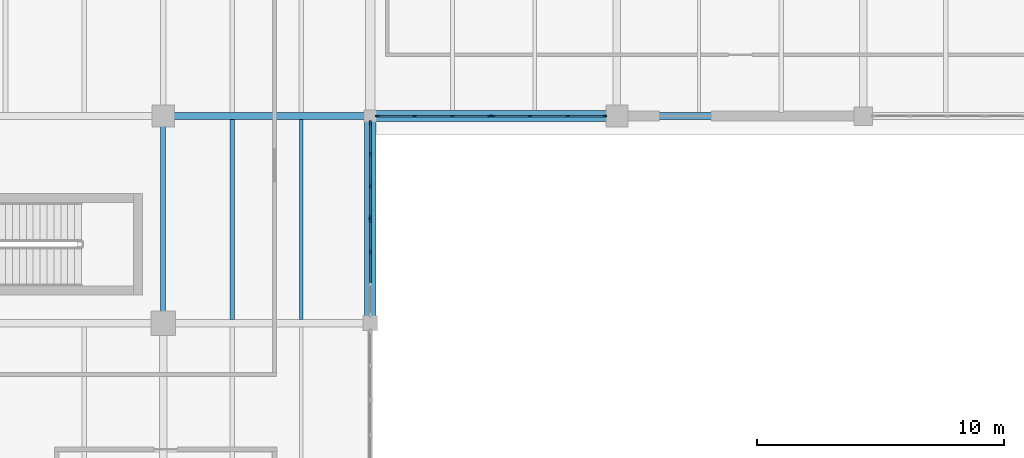
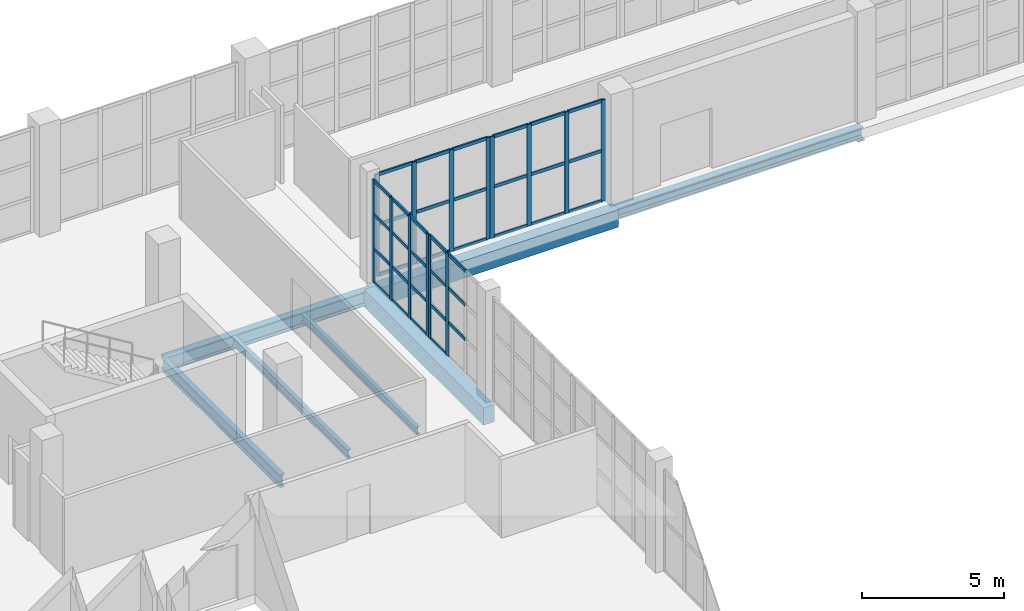
# One storey, part 10 of 121: 51 members, 7 beams, 4 elements without a shape of their own.
"""IFC4 building model written with IfcOpenShell, lengths in metres."""

from ifc_helpers import new_model, si_unit, direction, frame, origin, origin_2d, place, context, subcontext, project, spatial, rectangle, i_section, extrude, material, layer, layer_set, material_profile, profile_set, type_object, element, aggregate, save


model = new_model("IFC4")

# Units and contexts
model_context = context("Model", 3, precision=1e-05, world=origin(), true_north=direction((0.0, 1.0)))
body_context = subcontext(model_context, "Body", "Model", "MODEL_VIEW")
ifc_project = project(units=[si_unit("LENGTHUNIT", "METRE"), si_unit("AREAUNIT", "SQUARE_METRE"), si_unit("VOLUMEUNIT", "CUBIC_METRE"), si_unit("PLANEANGLEUNIT", "RADIAN"), si_unit("MASSUNIT", "GRAM", prefix="KILO")], contexts=[model_context])

# Site, building, storey
site_placement = place(None, origin())
site = spatial("IfcSite", under=ifc_project, at=site_placement, CompositionType="ELEMENT")
building_placement = place(site_placement, origin())
building = spatial("IfcBuilding", under=site, at=building_placement, Name="Zereglee Splitstone Museum", CompositionType="ELEMENT")
storey_placement = place(building_placement, origin())
storey = spatial("IfcBuildingStorey", under=building, at=storey_placement, Name="L00", CompositionType="ELEMENT", Elevation=0.0)

# Curtain wall, members
ifc_material_1 = material(Name="Triple-glazed low-E argon glass and bronze-anodised aluminium", Category="aluminium")
ifc_layer_1 = layer(ifc_material_1, 0.179931640625)
ifc_layer_set_1 = layer_set([ifc_layer_1], Name="Triple-glazed low-E argon glass and bronze-anodised aluminium")
curtain_wall_type_1 = type_object("IfcCurtainWallType", Name="CW-0388-444", PredefinedType="USERDEFINED", material=ifc_layer_set_1)
curtain_wall_1_placement = place(storey_placement, origin())
curtain_wall_1 = element("IfcCurtainWall", 1, at=curtain_wall_1_placement, inside=storey, type_object=curtain_wall_type_1, Name="Glazed Curtain Wall CW-0388-444 (L00)", ObjectType="GLAZED CURTAIN WALL", PredefinedType="USERDEFINED")
ifc_material_2 = material(Name="Thermally broken bronze-anodised aluminium", Category="aluminium")
ifc_material_profile_1 = material_profile(ifc_material_2, rectangle(XDim=0.06494140625, YDim=0.179931640625, at=origin_2d()), Name="CW MULL 65x180")
ifc_profile_set_1 = profile_set([ifc_material_profile_1], Name="Thermally broken bronze-anodised aluminium")
member_type_1 = type_object("IfcMemberType", Name="CWM-01", PredefinedType="MULLION", material=ifc_profile_set_1)
member_1_placement = place(storey_placement, frame((48.0, 24.49267578125, 0.0), z_axis=(0.0, 0.0, 1.0), x_axis=(-1.0, 0.0, 0.0)))
member_1 = element("IfcMember", 2, at=member_1_placement, type_object=member_type_1, Name="CW-0388-444 mullion 3", PredefinedType="MULLION", context=body_context, shape_type="SweptSolid", body=[
    extrude(rectangle(XDim=0.06494140625, YDim=0.179931640625, at=origin_2d()), origin(), (0.0, 0.0, 1.0), 4.43994140625),
])
member_2_placement = place(storey_placement, frame((48.0, 25.75244140625, 0.0), z_axis=(0.0, 0.0, 1.0), x_axis=(-1.0, 0.0, 0.0)))
member_2 = element("IfcMember", 3, at=member_2_placement, type_object=member_type_1, Name="CW-0388-444 mullion 4", PredefinedType="MULLION", context=body_context, shape_type="SweptSolid", body=[
    extrude(rectangle(XDim=0.06494140625, YDim=0.179931640625, at=origin_2d()), origin(), (0.0, 0.0, 1.0), 4.43994140625),
])

ifc_layer_2 = layer(ifc_material_1, 0.179931640625)
ifc_layer_set_2 = layer_set([ifc_layer_2], Name="Triple-glazed low-E argon glass and bronze-anodised aluminium")
curtain_wall_type_2 = type_object("IfcCurtainWallType", Name="CW-0388-442", PredefinedType="USERDEFINED", material=ifc_layer_set_2)
curtain_wall_2_placement = place(storey_placement, origin())
curtain_wall_2 = element("IfcCurtainWall", 4, at=curtain_wall_2_placement, inside=storey, type_object=curtain_wall_type_2, Name="Glazed Curtain Wall CW-0388-442 (L00)", ObjectType="GLAZED CURTAIN WALL", PredefinedType="USERDEFINED")
member_3_placement = place(storey_placement, frame((48.0, 25.8974609375, 0.0), z_axis=(0.0, 0.0, 1.0), x_axis=(-1.0, 0.0, 0.0)))
member_3 = element("IfcMember", 5, at=member_3_placement, type_object=member_type_1, Name="CW-0388-442 mullion 1", PredefinedType="MULLION", context=body_context, shape_type="SweptSolid", body=[
    extrude(rectangle(XDim=0.06494140625, YDim=0.179931640625, at=origin_2d()), origin(), (0.0, 0.0, 1.0), 4.419921875),
])
member_4_placement = place(storey_placement, frame((48.0, 27.1572265625, 0.0), z_axis=(0.0, 0.0, 1.0), x_axis=(-1.0, 0.0, 0.0)))
member_4 = element("IfcMember", 6, at=member_4_placement, type_object=member_type_1, Name="CW-0388-442 mullion 2", PredefinedType="MULLION", context=body_context, shape_type="SweptSolid", body=[
    extrude(rectangle(XDim=0.06494140625, YDim=0.179931640625, at=origin_2d()), origin(), (0.0, 0.0, 1.0), 4.419921875),
])
member_5_placement = place(storey_placement, frame((48.0, 28.44970703125, 0.0), z_axis=(0.0, 0.0, 1.0), x_axis=(-1.0, 0.0, 0.0)))
member_5 = element("IfcMember", 7, at=member_5_placement, type_object=member_type_1, Name="CW-0388-442 mullion 3", PredefinedType="MULLION", context=body_context, shape_type="SweptSolid", body=[
    extrude(rectangle(XDim=0.06494140625, YDim=0.179931640625, at=origin_2d()), origin(), (0.0, 0.0, 1.0), 4.419921875),
])
member_6_placement = place(storey_placement, frame((48.0, 29.70947265625, 0.0), z_axis=(0.0, 0.0, 1.0), x_axis=(-1.0, 0.0, 0.0)))
member_6 = element("IfcMember", 8, at=member_6_placement, type_object=member_type_1, Name="CW-0388-442 mullion 4", PredefinedType="MULLION", context=body_context, shape_type="SweptSolid", body=[
    extrude(rectangle(XDim=0.06494140625, YDim=0.179931640625, at=origin_2d()), origin(), (0.0, 0.0, 1.0), 4.419921875),
])

ifc_layer_3 = layer(ifc_material_1, 0.179931640625)
ifc_layer_set_3 = layer_set([ifc_layer_3], Name="Triple-glazed low-E argon glass and bronze-anodised aluminium")
curtain_wall_type_3 = type_object("IfcCurtainWallType", Name="CW-0460-438", PredefinedType="USERDEFINED", material=ifc_layer_set_3)
curtain_wall_3_placement = place(storey_placement, origin())
curtain_wall_3 = element("IfcCurtainWall", 9, at=curtain_wall_3_placement, inside=storey, type_object=curtain_wall_type_3, Name="Glazed Curtain Wall CW-0460-438 (L00)", ObjectType="GLAZED CURTAIN WALL", PredefinedType="USERDEFINED")
member_7_placement = place(storey_placement, frame((48.29052734375, 30.0, 0.0), z_axis=(0.0, 0.0, 1.0), x_axis=(0.0, 1.0, 0.0)))
member_7 = element("IfcMember", 10, at=member_7_placement, type_object=member_type_1, Name="CW-0460-438 mullion 1", PredefinedType="MULLION", context=body_context, shape_type="SweptSolid", body=[
    extrude(rectangle(XDim=0.06494140625, YDim=0.179931640625, at=origin_2d()), origin(), (0.0, 0.0, 1.0), 4.3798828125),
])
member_8_placement = place(storey_placement, frame((49.7919921875, 30.0, 0.0), z_axis=(0.0, 0.0, 1.0), x_axis=(0.0, 1.0, 0.0)))
member_8 = element("IfcMember", 11, at=member_8_placement, type_object=member_type_1, Name="CW-0460-438 mullion 2", PredefinedType="MULLION", context=body_context, shape_type="SweptSolid", body=[
    extrude(rectangle(XDim=0.06494140625, YDim=0.179931640625, at=origin_2d()), origin(), (0.0, 0.0, 1.0), 4.3798828125),
])
member_9_placement = place(storey_placement, frame((51.325927734375, 30.0, 0.0), z_axis=(0.0, 0.0, 1.0), x_axis=(0.0, 1.0, 0.0)))
member_9 = element("IfcMember", 12, at=member_9_placement, type_object=member_type_1, Name="CW-0460-438 mullion 3", PredefinedType="MULLION", context=body_context, shape_type="SweptSolid", body=[
    extrude(rectangle(XDim=0.06494140625, YDim=0.179931640625, at=origin_2d()), origin(), (0.0, 0.0, 1.0), 4.3798828125),
])
member_10_placement = place(storey_placement, frame((52.827392578125, 30.0, 0.0), z_axis=(0.0, 0.0, 1.0), x_axis=(0.0, 1.0, 0.0)))
member_10 = element("IfcMember", 13, at=member_10_placement, type_object=member_type_1, Name="CW-0460-438 mullion 4", PredefinedType="MULLION", context=body_context, shape_type="SweptSolid", body=[
    extrude(rectangle(XDim=0.06494140625, YDim=0.179931640625, at=origin_2d()), origin(), (0.0, 0.0, 1.0), 4.3798828125),
])

ifc_layer_4 = layer(ifc_material_1, 0.179931640625)
ifc_layer_set_4 = layer_set([ifc_layer_4], Name="Triple-glazed low-E argon glass and bronze-anodised aluminium")
curtain_wall_type_4 = type_object("IfcCurtainWallType", Name="CW-0460-436", PredefinedType="USERDEFINED", material=ifc_layer_set_4)
curtain_wall_4_placement = place(storey_placement, origin())
curtain_wall_4 = element("IfcCurtainWall", 14, at=curtain_wall_4_placement, inside=storey, type_object=curtain_wall_type_4, Name="Glazed Curtain Wall CW-0460-436 (L00)", ObjectType="GLAZED CURTAIN WALL", PredefinedType="USERDEFINED")
member_11_placement = place(storey_placement, frame((52.972412109375, 30.0, 0.0), z_axis=(0.0, 0.0, 1.0), x_axis=(0.0, 1.0, 0.0)))
member_11 = element("IfcMember", 15, at=member_11_placement, type_object=member_type_1, Name="CW-0460-436 mullion 1", PredefinedType="MULLION", context=body_context, shape_type="SweptSolid", body=[
    extrude(rectangle(XDim=0.06494140625, YDim=0.179931640625, at=origin_2d()), origin(), (0.0, 0.0, 1.0), 4.360107421875),
])
member_12_placement = place(storey_placement, frame((54.47412109375, 30.0, 0.0), z_axis=(0.0, 0.0, 1.0), x_axis=(0.0, 1.0, 0.0)))
member_12 = element("IfcMember", 16, at=member_12_placement, type_object=member_type_1, Name="CW-0460-436 mullion 2", PredefinedType="MULLION", context=body_context, shape_type="SweptSolid", body=[
    extrude(rectangle(XDim=0.06494140625, YDim=0.179931640625, at=origin_2d()), origin(), (0.0, 0.0, 1.0), 4.360107421875),
])
member_13_placement = place(storey_placement, frame((56.008056640625, 30.0, 0.0), z_axis=(0.0, 0.0, 1.0), x_axis=(0.0, 1.0, 0.0)))
member_13 = element("IfcMember", 17, at=member_13_placement, type_object=member_type_1, Name="CW-0460-436 mullion 3", PredefinedType="MULLION", context=body_context, shape_type="SweptSolid", body=[
    extrude(rectangle(XDim=0.06494140625, YDim=0.179931640625, at=origin_2d()), origin(), (0.0, 0.0, 1.0), 4.360107421875),
])
member_14_placement = place(storey_placement, frame((57.509521484375, 30.0, 0.0), z_axis=(0.0, 0.0, 1.0), x_axis=(0.0, 1.0, 0.0)))
member_14 = element("IfcMember", 18, at=member_14_placement, type_object=member_type_1, Name="CW-0460-436 mullion 4", PredefinedType="MULLION", context=body_context, shape_type="SweptSolid", body=[
    extrude(rectangle(XDim=0.06494140625, YDim=0.179931640625, at=origin_2d()), origin(), (0.0, 0.0, 1.0), 4.360107421875),
])

# Member
ifc_material_profile_2 = material_profile(ifc_material_2, rectangle(XDim=0.06494140625, YDim=0.139892578125, at=origin_2d()), Name="CW TRAN 65x140")
ifc_profile_set_2 = profile_set([ifc_material_profile_2], Name="Thermally broken bronze-anodised aluminium")
member_type_2 = type_object("IfcMemberType", Name="CWT-01", PredefinedType="USERDEFINED", material=ifc_profile_set_2)
member_15_placement = place(storey_placement, frame((48.0, 23.23291015625, 1.47998046875), z_axis=(0.0, 1.0, 0.0), x_axis=(-1.0, 0.0, 0.0)))
member_15 = element("IfcMember", 19, at=member_15_placement, type_object=member_type_2, Name="CW-0388-444 transom 2.2", ObjectType="TRANSOM", PredefinedType="USERDEFINED", context=body_context, shape_type="SweptSolid", body=[
    extrude(rectangle(XDim=0.06494140625, YDim=0.139892578125, at=origin_2d()), origin(), (0.0, 0.0, 1.0), 1.227294921875),
])

member_16_placement = place(storey_placement, frame((48.0, 23.23291015625, 2.9599609375), z_axis=(0.0, 1.0, 0.0), x_axis=(-1.0, 0.0, 0.0)))
member_16 = element("IfcMember", 20, at=member_16_placement, type_object=member_type_2, Name="CW-0388-444 transom 2.3", ObjectType="TRANSOM", PredefinedType="USERDEFINED", context=body_context, shape_type="SweptSolid", body=[
    extrude(rectangle(XDim=0.06494140625, YDim=0.139892578125, at=origin_2d()), origin(), (0.0, 0.0, 1.0), 1.227294921875),
])

member_17_placement = place(storey_placement, frame((48.0, 23.23291015625, 4.407470703125), z_axis=(0.0, 1.0, 0.0), x_axis=(-1.0, 0.0, 0.0)))
member_17 = element("IfcMember", 21, at=member_17_placement, type_object=member_type_2, Name="CW-0388-444 transom 2.4", ObjectType="TRANSOM", PredefinedType="USERDEFINED", context=body_context, shape_type="SweptSolid", body=[
    extrude(rectangle(XDim=0.06494140625, YDim=0.139892578125, at=origin_2d()), origin(), (0.0, 0.0, 1.0), 1.227294921875),
])

member_18_placement = place(storey_placement, frame((48.0, 24.525146484375, 0.032470703125), z_axis=(0.0, 1.0, 0.0), x_axis=(-1.0, 0.0, 0.0)))
member_18 = element("IfcMember", 22, at=member_18_placement, type_object=member_type_2, Name="CW-0388-444 transom 3.1", ObjectType="TRANSOM", PredefinedType="USERDEFINED", context=body_context, shape_type="SweptSolid", body=[
    extrude(rectangle(XDim=0.06494140625, YDim=0.139892578125, at=origin_2d()), origin(), (0.0, 0.0, 1.0), 1.19482421875),
])

member_19_placement = place(storey_placement, frame((48.0, 24.525146484375, 1.47998046875), z_axis=(0.0, 1.0, 0.0), x_axis=(-1.0, 0.0, 0.0)))
member_19 = element("IfcMember", 23, at=member_19_placement, type_object=member_type_2, Name="CW-0388-444 transom 3.2", ObjectType="TRANSOM", PredefinedType="USERDEFINED", context=body_context, shape_type="SweptSolid", body=[
    extrude(rectangle(XDim=0.06494140625, YDim=0.139892578125, at=origin_2d()), origin(), (0.0, 0.0, 1.0), 1.19482421875),
])

member_20_placement = place(storey_placement, frame((48.0, 24.525146484375, 2.9599609375), z_axis=(0.0, 1.0, 0.0), x_axis=(-1.0, 0.0, 0.0)))
member_20 = element("IfcMember", 24, at=member_20_placement, type_object=member_type_2, Name="CW-0388-444 transom 3.3", ObjectType="TRANSOM", PredefinedType="USERDEFINED", context=body_context, shape_type="SweptSolid", body=[
    extrude(rectangle(XDim=0.06494140625, YDim=0.139892578125, at=origin_2d()), origin(), (0.0, 0.0, 1.0), 1.19482421875),
])

member_21_placement = place(storey_placement, frame((48.0, 24.525146484375, 4.407470703125), z_axis=(0.0, 1.0, 0.0), x_axis=(-1.0, 0.0, 0.0)))
member_21 = element("IfcMember", 25, at=member_21_placement, type_object=member_type_2, Name="CW-0388-444 transom 3.4", ObjectType="TRANSOM", PredefinedType="USERDEFINED", context=body_context, shape_type="SweptSolid", body=[
    extrude(rectangle(XDim=0.06494140625, YDim=0.139892578125, at=origin_2d()), origin(), (0.0, 0.0, 1.0), 1.19482421875),
])

aggregate(curtain_wall_1, [member_1, member_2, member_15, member_16, member_17, member_18, member_19, member_20, member_21])

member_22_placement = place(storey_placement, frame((48.0, 25.929931640625, 0.032470703125), z_axis=(0.0, 1.0, 0.0), x_axis=(-1.0, 0.0, 0.0)))
member_22 = element("IfcMember", 26, at=member_22_placement, type_object=member_type_2, Name="CW-0388-442 transom 1.1", ObjectType="TRANSOM", PredefinedType="USERDEFINED", context=body_context, shape_type="SweptSolid", body=[
    extrude(rectangle(XDim=0.06494140625, YDim=0.139892578125, at=origin_2d()), origin(), (0.0, 0.0, 1.0), 1.19482421875),
])

member_23_placement = place(storey_placement, frame((48.0, 25.929931640625, 1.473388671875), z_axis=(0.0, 1.0, 0.0), x_axis=(-1.0, 0.0, 0.0)))
member_23 = element("IfcMember", 27, at=member_23_placement, type_object=member_type_2, Name="CW-0388-442 transom 1.2", ObjectType="TRANSOM", PredefinedType="USERDEFINED", context=body_context, shape_type="SweptSolid", body=[
    extrude(rectangle(XDim=0.06494140625, YDim=0.139892578125, at=origin_2d()), origin(), (0.0, 0.0, 1.0), 1.19482421875),
])

member_24_placement = place(storey_placement, frame((48.0, 25.929931640625, 2.94677734375), z_axis=(0.0, 1.0, 0.0), x_axis=(-1.0, 0.0, 0.0)))
member_24 = element("IfcMember", 28, at=member_24_placement, type_object=member_type_2, Name="CW-0388-442 transom 1.3", ObjectType="TRANSOM", PredefinedType="USERDEFINED", context=body_context, shape_type="SweptSolid", body=[
    extrude(rectangle(XDim=0.06494140625, YDim=0.139892578125, at=origin_2d()), origin(), (0.0, 0.0, 1.0), 1.19482421875),
])

member_25_placement = place(storey_placement, frame((48.0, 25.929931640625, 4.387451171875), z_axis=(0.0, 1.0, 0.0), x_axis=(-1.0, 0.0, 0.0)))
member_25 = element("IfcMember", 29, at=member_25_placement, type_object=member_type_2, Name="CW-0388-442 transom 1.4", ObjectType="TRANSOM", PredefinedType="USERDEFINED", context=body_context, shape_type="SweptSolid", body=[
    extrude(rectangle(XDim=0.06494140625, YDim=0.139892578125, at=origin_2d()), origin(), (0.0, 0.0, 1.0), 1.19482421875),
])

member_26_placement = place(storey_placement, frame((48.0, 27.18994140625, 0.032470703125), z_axis=(0.0, 1.0, 0.0), x_axis=(-1.0, 0.0, 0.0)))
member_26 = element("IfcMember", 30, at=member_26_placement, type_object=member_type_2, Name="CW-0388-442 transom 2.1", ObjectType="TRANSOM", PredefinedType="USERDEFINED", context=body_context, shape_type="SweptSolid", body=[
    extrude(rectangle(XDim=0.06494140625, YDim=0.139892578125, at=origin_2d()), origin(), (0.0, 0.0, 1.0), 1.227294921875),
])

member_27_placement = place(storey_placement, frame((48.0, 27.18994140625, 1.473388671875), z_axis=(0.0, 1.0, 0.0), x_axis=(-1.0, 0.0, 0.0)))
member_27 = element("IfcMember", 31, at=member_27_placement, type_object=member_type_2, Name="CW-0388-442 transom 2.2", ObjectType="TRANSOM", PredefinedType="USERDEFINED", context=body_context, shape_type="SweptSolid", body=[
    extrude(rectangle(XDim=0.06494140625, YDim=0.139892578125, at=origin_2d()), origin(), (0.0, 0.0, 1.0), 1.227294921875),
])

member_28_placement = place(storey_placement, frame((48.0, 27.18994140625, 2.94677734375), z_axis=(0.0, 1.0, 0.0), x_axis=(-1.0, 0.0, 0.0)))
member_28 = element("IfcMember", 32, at=member_28_placement, type_object=member_type_2, Name="CW-0388-442 transom 2.3", ObjectType="TRANSOM", PredefinedType="USERDEFINED", context=body_context, shape_type="SweptSolid", body=[
    extrude(rectangle(XDim=0.06494140625, YDim=0.139892578125, at=origin_2d()), origin(), (0.0, 0.0, 1.0), 1.227294921875),
])

member_29_placement = place(storey_placement, frame((48.0, 27.18994140625, 4.387451171875), z_axis=(0.0, 1.0, 0.0), x_axis=(-1.0, 0.0, 0.0)))
member_29 = element("IfcMember", 33, at=member_29_placement, type_object=member_type_2, Name="CW-0388-442 transom 2.4", ObjectType="TRANSOM", PredefinedType="USERDEFINED", context=body_context, shape_type="SweptSolid", body=[
    extrude(rectangle(XDim=0.06494140625, YDim=0.139892578125, at=origin_2d()), origin(), (0.0, 0.0, 1.0), 1.227294921875),
])

member_30_placement = place(storey_placement, frame((48.0, 28.482177734375, 0.032470703125), z_axis=(0.0, 1.0, 0.0), x_axis=(-1.0, 0.0, 0.0)))
member_30 = element("IfcMember", 34, at=member_30_placement, type_object=member_type_2, Name="CW-0388-442 transom 3.1", ObjectType="TRANSOM", PredefinedType="USERDEFINED", context=body_context, shape_type="SweptSolid", body=[
    extrude(rectangle(XDim=0.06494140625, YDim=0.139892578125, at=origin_2d()), origin(), (0.0, 0.0, 1.0), 1.19482421875),
])

member_31_placement = place(storey_placement, frame((48.0, 28.482177734375, 1.473388671875), z_axis=(0.0, 1.0, 0.0), x_axis=(-1.0, 0.0, 0.0)))
member_31 = element("IfcMember", 35, at=member_31_placement, type_object=member_type_2, Name="CW-0388-442 transom 3.2", ObjectType="TRANSOM", PredefinedType="USERDEFINED", context=body_context, shape_type="SweptSolid", body=[
    extrude(rectangle(XDim=0.06494140625, YDim=0.139892578125, at=origin_2d()), origin(), (0.0, 0.0, 1.0), 1.19482421875),
])

member_32_placement = place(storey_placement, frame((48.0, 28.482177734375, 2.94677734375), z_axis=(0.0, 1.0, 0.0), x_axis=(-1.0, 0.0, 0.0)))
member_32 = element("IfcMember", 36, at=member_32_placement, type_object=member_type_2, Name="CW-0388-442 transom 3.3", ObjectType="TRANSOM", PredefinedType="USERDEFINED", context=body_context, shape_type="SweptSolid", body=[
    extrude(rectangle(XDim=0.06494140625, YDim=0.139892578125, at=origin_2d()), origin(), (0.0, 0.0, 1.0), 1.19482421875),
])

member_33_placement = place(storey_placement, frame((48.0, 28.482177734375, 4.387451171875), z_axis=(0.0, 1.0, 0.0), x_axis=(-1.0, 0.0, 0.0)))
member_33 = element("IfcMember", 37, at=member_33_placement, type_object=member_type_2, Name="CW-0388-442 transom 3.4", ObjectType="TRANSOM", PredefinedType="USERDEFINED", context=body_context, shape_type="SweptSolid", body=[
    extrude(rectangle(XDim=0.06494140625, YDim=0.139892578125, at=origin_2d()), origin(), (0.0, 0.0, 1.0), 1.19482421875),
])

aggregate(curtain_wall_2, [member_3, member_4, member_5, member_6, member_22, member_23, member_24, member_25, member_26, member_27, member_28, member_29, member_30, member_31, member_32, member_33])

member_34_placement = place(storey_placement, frame((48.322998046875, 30.0, 0.032470703125), z_axis=(1.0, 0.0, 0.0), x_axis=(0.0, 1.0, 0.0)))
member_34 = element("IfcMember", 38, at=member_34_placement, type_object=member_type_2, Name="CW-0460-438 transom 1.1", ObjectType="TRANSOM", PredefinedType="USERDEFINED", context=body_context, shape_type="SweptSolid", body=[
    extrude(rectangle(XDim=0.06494140625, YDim=0.139892578125, at=origin_2d()), origin(), (0.0, 0.0, 1.0), 1.4365234375),
])

member_35_placement = place(storey_placement, frame((48.322998046875, 30.0, 2.18994140625), z_axis=(1.0, 0.0, 0.0), x_axis=(0.0, 1.0, 0.0)))
member_35 = element("IfcMember", 39, at=member_35_placement, type_object=member_type_2, Name="CW-0460-438 transom 1.2", ObjectType="TRANSOM", PredefinedType="USERDEFINED", context=body_context, shape_type="SweptSolid", body=[
    extrude(rectangle(XDim=0.06494140625, YDim=0.139892578125, at=origin_2d()), origin(), (0.0, 0.0, 1.0), 1.4365234375),
])

member_36_placement = place(storey_placement, frame((48.322998046875, 30.0, 4.347412109375), z_axis=(1.0, 0.0, 0.0), x_axis=(0.0, 1.0, 0.0)))
member_36 = element("IfcMember", 40, at=member_36_placement, type_object=member_type_2, Name="CW-0460-438 transom 1.3", ObjectType="TRANSOM", PredefinedType="USERDEFINED", context=body_context, shape_type="SweptSolid", body=[
    extrude(rectangle(XDim=0.06494140625, YDim=0.139892578125, at=origin_2d()), origin(), (0.0, 0.0, 1.0), 1.4365234375),
])

member_37_placement = place(storey_placement, frame((49.824462890625, 30.0, 0.032470703125), z_axis=(1.0, 0.0, 0.0), x_axis=(0.0, 1.0, 0.0)))
member_37 = element("IfcMember", 41, at=member_37_placement, type_object=member_type_2, Name="CW-0460-438 transom 2.1", ObjectType="TRANSOM", PredefinedType="USERDEFINED", context=body_context, shape_type="SweptSolid", body=[
    extrude(rectangle(XDim=0.06494140625, YDim=0.139892578125, at=origin_2d()), origin(), (0.0, 0.0, 1.0), 1.468994140625),
])

member_38_placement = place(storey_placement, frame((49.824462890625, 30.0, 2.18994140625), z_axis=(1.0, 0.0, 0.0), x_axis=(0.0, 1.0, 0.0)))
member_38 = element("IfcMember", 42, at=member_38_placement, type_object=member_type_2, Name="CW-0460-438 transom 2.2", ObjectType="TRANSOM", PredefinedType="USERDEFINED", context=body_context, shape_type="SweptSolid", body=[
    extrude(rectangle(XDim=0.06494140625, YDim=0.139892578125, at=origin_2d()), origin(), (0.0, 0.0, 1.0), 1.468994140625),
])

member_39_placement = place(storey_placement, frame((49.824462890625, 30.0, 4.347412109375), z_axis=(1.0, 0.0, 0.0), x_axis=(0.0, 1.0, 0.0)))
member_39 = element("IfcMember", 43, at=member_39_placement, type_object=member_type_2, Name="CW-0460-438 transom 2.3", ObjectType="TRANSOM", PredefinedType="USERDEFINED", context=body_context, shape_type="SweptSolid", body=[
    extrude(rectangle(XDim=0.06494140625, YDim=0.139892578125, at=origin_2d()), origin(), (0.0, 0.0, 1.0), 1.468994140625),
])

member_40_placement = place(storey_placement, frame((51.3583984375, 30.0, 0.032470703125), z_axis=(1.0, 0.0, 0.0), x_axis=(0.0, 1.0, 0.0)))
member_40 = element("IfcMember", 44, at=member_40_placement, type_object=member_type_2, Name="CW-0460-438 transom 3.1", ObjectType="TRANSOM", PredefinedType="USERDEFINED", context=body_context, shape_type="SweptSolid", body=[
    extrude(rectangle(XDim=0.06494140625, YDim=0.139892578125, at=origin_2d()), origin(), (0.0, 0.0, 1.0), 1.4365234375),
])

member_41_placement = place(storey_placement, frame((51.3583984375, 30.0, 2.18994140625), z_axis=(1.0, 0.0, 0.0), x_axis=(0.0, 1.0, 0.0)))
member_41 = element("IfcMember", 45, at=member_41_placement, type_object=member_type_2, Name="CW-0460-438 transom 3.2", ObjectType="TRANSOM", PredefinedType="USERDEFINED", context=body_context, shape_type="SweptSolid", body=[
    extrude(rectangle(XDim=0.06494140625, YDim=0.139892578125, at=origin_2d()), origin(), (0.0, 0.0, 1.0), 1.4365234375),
])

member_42_placement = place(storey_placement, frame((51.3583984375, 30.0, 4.347412109375), z_axis=(1.0, 0.0, 0.0), x_axis=(0.0, 1.0, 0.0)))
member_42 = element("IfcMember", 46, at=member_42_placement, type_object=member_type_2, Name="CW-0460-438 transom 3.3", ObjectType="TRANSOM", PredefinedType="USERDEFINED", context=body_context, shape_type="SweptSolid", body=[
    extrude(rectangle(XDim=0.06494140625, YDim=0.139892578125, at=origin_2d()), origin(), (0.0, 0.0, 1.0), 1.4365234375),
])

aggregate(curtain_wall_3, [member_7, member_8, member_9, member_10, member_34, member_35, member_36, member_37, member_38, member_39, member_40, member_41, member_42])

member_43_placement = place(storey_placement, frame((53.0048828125, 30.0, 0.032470703125), z_axis=(1.0, 0.0, 0.0), x_axis=(0.0, 1.0, 0.0)))
member_43 = element("IfcMember", 47, at=member_43_placement, type_object=member_type_2, Name="CW-0460-436 transom 1.1", ObjectType="TRANSOM", PredefinedType="USERDEFINED", context=body_context, shape_type="SweptSolid", body=[
    extrude(rectangle(XDim=0.06494140625, YDim=0.139892578125, at=origin_2d()), origin(), (0.0, 0.0, 1.0), 1.4365234375),
])

member_44_placement = place(storey_placement, frame((53.0048828125, 30.0, 2.179931640625), z_axis=(1.0, 0.0, 0.0), x_axis=(0.0, 1.0, 0.0)))
member_44 = element("IfcMember", 48, at=member_44_placement, type_object=member_type_2, Name="CW-0460-436 transom 1.2", ObjectType="TRANSOM", PredefinedType="USERDEFINED", context=body_context, shape_type="SweptSolid", body=[
    extrude(rectangle(XDim=0.06494140625, YDim=0.139892578125, at=origin_2d()), origin(), (0.0, 0.0, 1.0), 1.4365234375),
])

member_45_placement = place(storey_placement, frame((53.0048828125, 30.0, 4.327392578125), z_axis=(1.0, 0.0, 0.0), x_axis=(0.0, 1.0, 0.0)))
member_45 = element("IfcMember", 49, at=member_45_placement, type_object=member_type_2, Name="CW-0460-436 transom 1.3", ObjectType="TRANSOM", PredefinedType="USERDEFINED", context=body_context, shape_type="SweptSolid", body=[
    extrude(rectangle(XDim=0.06494140625, YDim=0.139892578125, at=origin_2d()), origin(), (0.0, 0.0, 1.0), 1.4365234375),
])

member_46_placement = place(storey_placement, frame((54.506591796875, 30.0, 0.032470703125), z_axis=(1.0, 0.0, 0.0), x_axis=(0.0, 1.0, 0.0)))
member_46 = element("IfcMember", 50, at=member_46_placement, type_object=member_type_2, Name="CW-0460-436 transom 2.1", ObjectType="TRANSOM", PredefinedType="USERDEFINED", context=body_context, shape_type="SweptSolid", body=[
    extrude(rectangle(XDim=0.06494140625, YDim=0.139892578125, at=origin_2d()), origin(), (0.0, 0.0, 1.0), 1.468994140625),
])

member_47_placement = place(storey_placement, frame((54.506591796875, 30.0, 2.179931640625), z_axis=(1.0, 0.0, 0.0), x_axis=(0.0, 1.0, 0.0)))
member_47 = element("IfcMember", 51, at=member_47_placement, type_object=member_type_2, Name="CW-0460-436 transom 2.2", ObjectType="TRANSOM", PredefinedType="USERDEFINED", context=body_context, shape_type="SweptSolid", body=[
    extrude(rectangle(XDim=0.06494140625, YDim=0.139892578125, at=origin_2d()), origin(), (0.0, 0.0, 1.0), 1.468994140625),
])

member_48_placement = place(storey_placement, frame((54.506591796875, 30.0, 4.327392578125), z_axis=(1.0, 0.0, 0.0), x_axis=(0.0, 1.0, 0.0)))
member_48 = element("IfcMember", 52, at=member_48_placement, type_object=member_type_2, Name="CW-0460-436 transom 2.3", ObjectType="TRANSOM", PredefinedType="USERDEFINED", context=body_context, shape_type="SweptSolid", body=[
    extrude(rectangle(XDim=0.06494140625, YDim=0.139892578125, at=origin_2d()), origin(), (0.0, 0.0, 1.0), 1.468994140625),
])

member_49_placement = place(storey_placement, frame((56.04052734375, 30.0, 0.032470703125), z_axis=(1.0, 0.0, 0.0), x_axis=(0.0, 1.0, 0.0)))
member_49 = element("IfcMember", 53, at=member_49_placement, type_object=member_type_2, Name="CW-0460-436 transom 3.1", ObjectType="TRANSOM", PredefinedType="USERDEFINED", context=body_context, shape_type="SweptSolid", body=[
    extrude(rectangle(XDim=0.06494140625, YDim=0.139892578125, at=origin_2d()), origin(), (0.0, 0.0, 1.0), 1.4365234375),
])

member_50_placement = place(storey_placement, frame((56.04052734375, 30.0, 2.179931640625), z_axis=(1.0, 0.0, 0.0), x_axis=(0.0, 1.0, 0.0)))
member_50 = element("IfcMember", 54, at=member_50_placement, type_object=member_type_2, Name="CW-0460-436 transom 3.2", ObjectType="TRANSOM", PredefinedType="USERDEFINED", context=body_context, shape_type="SweptSolid", body=[
    extrude(rectangle(XDim=0.06494140625, YDim=0.139892578125, at=origin_2d()), origin(), (0.0, 0.0, 1.0), 1.4365234375),
])

member_51_placement = place(storey_placement, frame((56.04052734375, 30.0, 4.327392578125), z_axis=(1.0, 0.0, 0.0), x_axis=(0.0, 1.0, 0.0)))
member_51 = element("IfcMember", 55, at=member_51_placement, type_object=member_type_2, Name="CW-0460-436 transom 3.3", ObjectType="TRANSOM", PredefinedType="USERDEFINED", context=body_context, shape_type="SweptSolid", body=[
    extrude(rectangle(XDim=0.06494140625, YDim=0.139892578125, at=origin_2d()), origin(), (0.0, 0.0, 1.0), 1.4365234375),
])

aggregate(curtain_wall_4, [member_11, member_12, member_13, member_14, member_43, member_44, member_45, member_46, member_47, member_48, member_49, member_50, member_51])

# Beams
ifc_material_3 = material(Name="Steel S355J2", Category="steel")
ifc_material_profile_3 = material_profile(ifc_material_3, i_section(OverallWidth=0.300048828125, OverallDepth=0.60009765625, WebThickness=0.015380859375, FlangeThickness=0.030029296875, FilletRadius=0.027099609375, at=origin_2d()), Name="HE 600 B")
ifc_profile_set_3 = profile_set([ifc_material_profile_3], Name="Steel S355J2")
beam_type_1 = type_object("IfcBeamType", Name="BG-10", PredefinedType="BEAM", material=ifc_profile_set_3)
beam_1_placement = place(storey_placement, frame((39.60009765625, 30.0, -0.719970703125), z_axis=(1.0, 0.0, 0.0), x_axis=(0.0, 1.0, 0.0)))
element("IfcBeam", 56, at=beam_1_placement, inside=storey, type_object=beam_type_1, Name="Primary Girder L00 D (39.6-48.0)", PredefinedType="BEAM", context=body_context, shape_type="SweptSolid", body=[
    extrude(i_section(OverallWidth=0.300048828125, OverallDepth=0.60009765625, WebThickness=0.015380859375, FlangeThickness=0.030029296875, FilletRadius=0.027099609375, at=origin_2d()), origin(), (0.0, 0.0, 1.0), 8.39990234375),
])
ifc_material_profile_4 = material_profile(ifc_material_3, i_section(OverallWidth=0.2099609375, OverallDepth=0.550048828125, WebThickness=0.010986328125, FlangeThickness=0.01708984375, FilletRadius=0.02392578125, at=origin_2d()), Name="IPE 550")
ifc_profile_set_4 = profile_set([ifc_material_profile_4], Name="Steel S355J2")
beam_type_2 = type_object("IfcBeamType", Name="BG-16", PredefinedType="BEAM", material=ifc_profile_set_4)
beam_2_placement = place(storey_placement, frame((39.60009765625, 21.60009765625, -0.695068359375), z_axis=(0.0, 1.0, 0.0), x_axis=(-1.0, 0.0, 0.0)))
element("IfcBeam", 57, at=beam_2_placement, inside=storey, type_object=beam_type_2, Name="Primary Girder L00 6 (21.6-30.0)", PredefinedType="BEAM", context=body_context, shape_type="SweptSolid", body=[
    extrude(i_section(OverallWidth=0.2099609375, OverallDepth=0.550048828125, WebThickness=0.010986328125, FlangeThickness=0.01708984375, FilletRadius=0.02392578125, at=origin_2d()), origin(), (0.0, 0.0, 1.0), 8.39990234375),
])
ifc_material_profile_5 = material_profile(ifc_material_3, i_section(OverallWidth=0.159912109375, OverallDepth=0.330078125, WebThickness=0.007568359375, FlangeThickness=0.011474609375, FilletRadius=0.01806640625, at=origin_2d()), Name="IPE 330")
ifc_profile_set_5 = profile_set([ifc_material_profile_5], Name="Steel S355J2")
beam_type_3 = type_object("IfcBeamType", Name="BJ-05", PredefinedType="JOIST", material=ifc_profile_set_5)
beam_3_placement = place(storey_placement, frame((45.199951171875, 21.75, -0.5849609375), z_axis=(0.0, 1.0, 0.0), x_axis=(-1.0, 0.0, 0.0)))
element("IfcBeam", 58, at=beam_3_placement, inside=storey, type_object=beam_type_3, Name="Secondary Floor Joist L00-0312", PredefinedType="JOIST", context=body_context, shape_type="SweptSolid", body=[
    extrude(i_section(OverallWidth=0.159912109375, OverallDepth=0.330078125, WebThickness=0.007568359375, FlangeThickness=0.011474609375, FilletRadius=0.01806640625, at=origin_2d()), origin(), (0.0, 0.0, 1.0), 8.10009765625),
])
ifc_material_profile_6 = material_profile(ifc_material_3, i_section(OverallWidth=0.169921875, OverallDepth=0.360107421875, WebThickness=0.008056640625, FlangeThickness=0.0126953125, FilletRadius=0.01806640625, at=origin_2d()), Name="IPE 360")
ifc_profile_set_6 = profile_set([ifc_material_profile_6], Name="Steel S355J2")
beam_type_4 = type_object("IfcBeamType", Name="BJ-04", PredefinedType="JOIST", material=ifc_profile_set_6)
beam_4_placement = place(storey_placement, frame((42.39990234375, 21.75, -0.60009765625), z_axis=(0.0, 1.0, 0.0), x_axis=(-1.0, 0.0, 0.0)))
element("IfcBeam", 59, at=beam_4_placement, inside=storey, type_object=beam_type_4, Name="Secondary Floor Joist L00-0311", PredefinedType="JOIST", context=body_context, shape_type="SweptSolid", body=[
    extrude(i_section(OverallWidth=0.169921875, OverallDepth=0.360107421875, WebThickness=0.008056640625, FlangeThickness=0.0126953125, FilletRadius=0.01806640625, at=origin_2d()), origin(), (0.0, 0.0, 1.0), 8.10009765625),
])
ifc_material_profile_7 = material_profile(ifc_material_3, i_section(OverallWidth=0.300048828125, OverallDepth=0.449951171875, WebThickness=0.013916015625, FlangeThickness=0.02587890625, FilletRadius=0.027099609375, at=origin_2d()), Name="HE 450 B")
ifc_profile_set_7 = profile_set([ifc_material_profile_7], Name="Steel S355J2")
beam_type_5 = type_object("IfcBeamType", Name="SP-02", PredefinedType="SPANDREL", material=ifc_profile_set_7)
beam_5_placement = place(storey_placement, frame((58.0, 30.0, -0.64501953125), z_axis=(1.0, 0.0, 0.0), x_axis=(0.0, 1.0, 0.0)))
element("IfcBeam", 60, at=beam_5_placement, inside=storey, type_object=beam_type_5, Name="Primary Girder L00 D (58.0-68.0)", PredefinedType="SPANDREL", context=body_context, shape_type="SweptSolid", body=[
    extrude(i_section(OverallWidth=0.300048828125, OverallDepth=0.449951171875, WebThickness=0.013916015625, FlangeThickness=0.02587890625, FilletRadius=0.027099609375, at=origin_2d()), origin(), (0.0, 0.0, 1.0), 10.0),
])
ifc_material_4 = material(Name="Concrete C40/50", Category="concrete")
ifc_material_profile_8 = material_profile(ifc_material_4, rectangle(XDim=0.449951171875, YDim=0.75, at=origin_2d()), Name="RC 450x750")
ifc_profile_set_8 = profile_set([ifc_material_profile_8], Name="Concrete C40/50")
beam_type_6 = type_object("IfcBeamType", Name="SP-01", PredefinedType="SPANDREL", material=ifc_profile_set_8)
beam_6_placement = place(storey_placement, frame((48.0, 30.0, -0.794921875), z_axis=(1.0, 0.0, 0.0), x_axis=(0.0, 1.0, 0.0)))
element("IfcBeam", 61, at=beam_6_placement, inside=storey, type_object=beam_type_6, Name="Primary Girder L00 D (48.0-58.0)", PredefinedType="SPANDREL", context=body_context, shape_type="SweptSolid", body=[
    extrude(rectangle(XDim=0.449951171875, YDim=0.75, at=origin_2d()), origin(), (0.0, 0.0, 1.0), 10.0),
])
beam_7_placement = place(storey_placement, frame((48.0, 21.60009765625, -0.794921875), z_axis=(0.0, 1.0, 0.0), x_axis=(-1.0, 0.0, 0.0)))
element("IfcBeam", 62, at=beam_7_placement, inside=storey, type_object=beam_type_6, Name="Primary Girder L00 7 (21.6-30.0)", PredefinedType="SPANDREL", context=body_context, shape_type="SweptSolid", body=[
    extrude(rectangle(XDim=0.449951171875, YDim=0.75, at=origin_2d()), origin(), (0.0, 0.0, 1.0), 8.39990234375),
])

save(model, "model.ifc")
